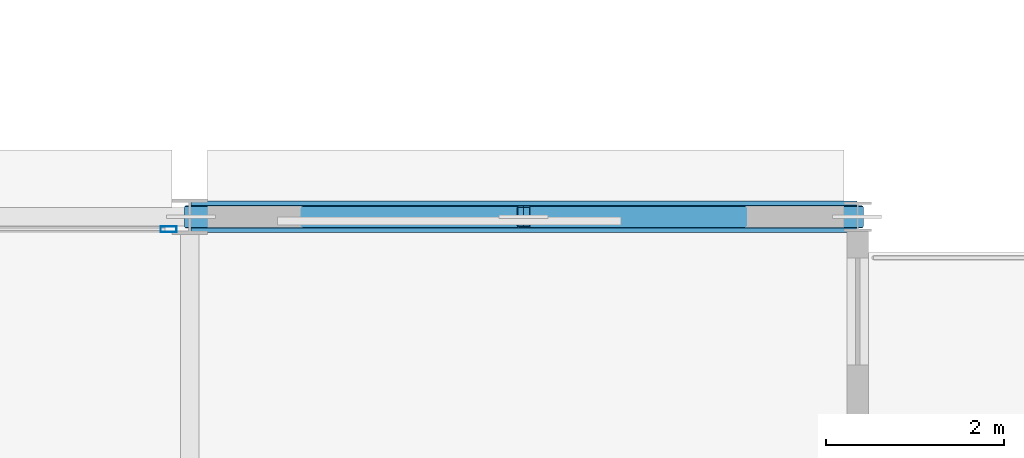
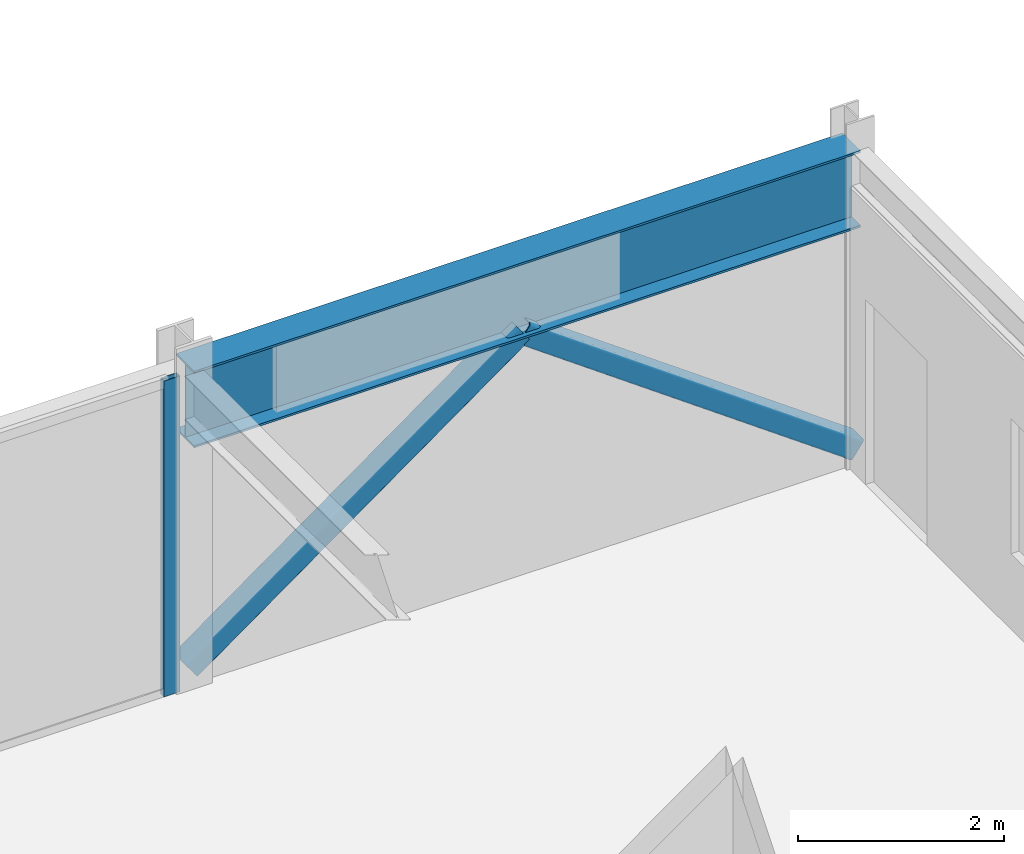
# One storey, part 22 of 40: 3 members, 1 beam, 1 element without a shape of its own.
"""IFC4 building model written with IfcOpenShell, lengths in metres."""

from ifc_helpers import new_model, si_unit, direction, frame, origin, origin_2d, place, context, subcontext, project, spatial, hollow_rectangle, i_section, extrude, material, layer, layer_set, material_profile, profile_set, type_object, element, aggregate, save


model = new_model("IFC4")

# Units and contexts
model_context = context("Model", 3, precision=1e-05, world=origin(), true_north=direction((0.0, 1.0)))
body_context = subcontext(model_context, "Body", "Model", "MODEL_VIEW")
ifc_project = project(units=[si_unit("LENGTHUNIT", "METRE"), si_unit("AREAUNIT", "SQUARE_METRE"), si_unit("VOLUMEUNIT", "CUBIC_METRE"), si_unit("PLANEANGLEUNIT", "RADIAN"), si_unit("MASSUNIT", "GRAM", prefix="KILO")], contexts=[model_context])

# Site, building, storey
site_placement = place(None, origin())
site = spatial("IfcSite", under=ifc_project, at=site_placement, CompositionType="ELEMENT")
building_placement = place(site_placement, origin())
building = spatial("IfcBuilding", under=site, at=building_placement, Name="Nerrivon Quay Data Exchange", CompositionType="ELEMENT")
storey_placement = place(building_placement, frame((0.0, 0.0, 109.0)))
storey = spatial("IfcBuildingStorey", under=building, at=storey_placement, Name="L25", CompositionType="ELEMENT", Elevation=109.0)

# Beam
ifc_material_1 = material(Name="Steel Grade 350", Category="steel")
ifc_material_profile_1 = material_profile(ifc_material_1, i_section(OverallWidth=0.35009765625, OverallDepth=0.909912109375, WebThickness=0.011962890625, FlangeThickness=0.02490234375, at=origin_2d()), Name="900WB218")
ifc_profile_set_1 = profile_set([ifc_material_profile_1], Name="Steel Grade 350")
beam_type = type_object("IfcBeamType", Name="BM-CANT-900WB", PredefinedType="USERDEFINED", material=ifc_profile_set_1)
beam_placement = place(storey_placement, frame((50.41259765625, 25.199951171875, 3.294921875), z_axis=(1.0, 0.0, 0.0), x_axis=(0.0, 1.0, 0.0)))
element("IfcBeam", 1, at=beam_placement, inside=storey, type_object=beam_type, Name="L25 East Hooked Cantilever Girder Y=25.2", ObjectType="TRANSFER", PredefinedType="USERDEFINED", context=body_context, shape_type="SweptSolid", body=[
    extrude(i_section(OverallWidth=0.35009765625, OverallDepth=0.909912109375, WebThickness=0.011962890625, FlangeThickness=0.02490234375, at=origin_2d()), origin(), (0.0, 0.0, 1.0), 7.4794921875),
])

# Curtain wall, member
ifc_material_2 = material(Name="Anodised aluminium 6063-T6", Category="aluminium")
ifc_layer = layer(ifc_material_2, 0.2099609375)
ifc_layer_set = layer_set([ifc_layer], Name="Anodised aluminium 6063-T6")
curtain_wall_type = type_object("IfcCurtainWallType", Name="CW-SYS-02", PredefinedType="NOTDEFINED", material=ifc_layer_set)
curtain_wall_placement = place(storey_placement, origin())
curtain_wall = element("IfcCurtainWall", 2, at=curtain_wall_placement, inside=storey, type_object=curtain_wall_type, Name="L25 Unitised Curtain Wall 34", PredefinedType="NOTDEFINED")
ifc_material_profile_2 = material_profile(ifc_material_2, hollow_rectangle(XDim=0.06494140625, YDim=0.179931640625, WallThickness=0.00341796875, at=origin_2d()), Name="ALU-MULL-180x65")
ifc_profile_set_2 = profile_set([ifc_material_profile_2], Name="Anodised aluminium 6063-T6")
member_type_1 = type_object("IfcMemberType", Name="CWM-180x65", PredefinedType="MULLION", material=ifc_profile_set_2)
member_1_placement = place(storey_placement, frame((50.16259765625, 25.06005859375, 0.0), z_axis=(0.0, 0.0, 1.0), x_axis=(0.0, 1.0, 0.0)))
member_1 = element("IfcMember", 3, at=member_1_placement, type_object=member_type_1, Name="CW02 mullion 2", PredefinedType="MULLION", context=body_context, shape_type="SweptSolid", body=[
    extrude(hollow_rectangle(XDim=0.06494140625, YDim=0.179931640625, WallThickness=0.00341796875, at=origin_2d()), origin(), (0.0, 0.0, 1.0), 3.75),
])
aggregate(curtain_wall, [member_1])

# Members
ifc_material_3 = material(Name="Steel Grade C350L0 (350 MPa)", Category="steel")
ifc_material_profile_3 = material_profile(ifc_material_3, hollow_rectangle(XDim=0.25, YDim=0.25, WallThickness=0.012451171875, InnerFilletRadius=0.018798828125, OuterFilletRadius=0.03125, at=origin_2d()), Name="250x250x12.5SHS")
ifc_profile_set_3 = profile_set([ifc_material_profile_3], Name="Steel Grade C350L0 (350 MPa)")
member_type_2 = type_object("IfcMemberType", Name="MEM-WB1-250SHS", PredefinedType="BRACE", material=ifc_profile_set_3)
member_2_placement = place(storey_placement, frame((50.41259765625, 25.199951171875, 0.159912109375), z_axis=(0.811603723185, 0.0, 0.584208350259), x_axis=(0.0, 1.0, 0.0)))
element("IfcMember", 4, at=member_2_placement, inside=storey, type_object=member_type_2, Name="L25 structural brace BR-L25-EHOOK-252A", PredefinedType="BRACE", context=body_context, shape_type="SweptSolid", body=[
    extrude(hollow_rectangle(XDim=0.25, YDim=0.25, WallThickness=0.012451171875, InnerFilletRadius=0.018798828125, OuterFilletRadius=0.03125, at=origin_2d()), origin(), (0.0, 0.0, 1.0), 4.604736328125),
])
member_3_placement = place(storey_placement, frame((57.89208984375, 25.199951171875, 0.159912109375), z_axis=(-0.811965158565, 0.0, 0.583705903068), x_axis=(0.0, -1.0, 0.0)))
element("IfcMember", 5, at=member_3_placement, inside=storey, type_object=member_type_2, Name="L25 structural brace BR-L25-EHOOK-252B", PredefinedType="BRACE", context=body_context, shape_type="SweptSolid", body=[
    extrude(hollow_rectangle(XDim=0.25, YDim=0.25, WallThickness=0.012451171875, InnerFilletRadius=0.018798828125, OuterFilletRadius=0.03125, at=origin_2d()), origin(), (0.0, 0.0, 1.0), 4.60888671875),
])

save(model, "model.ifc")
